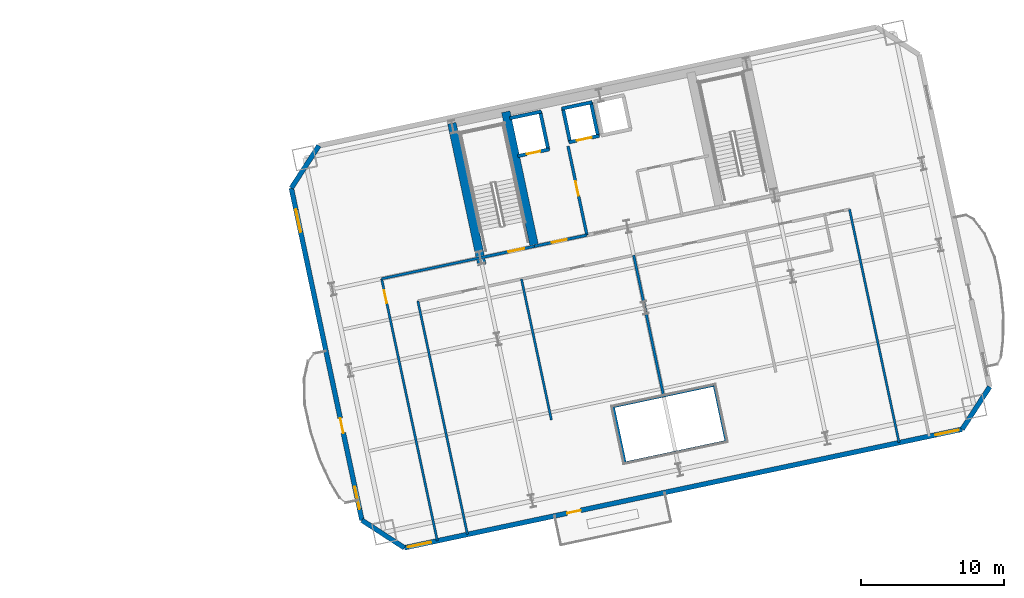
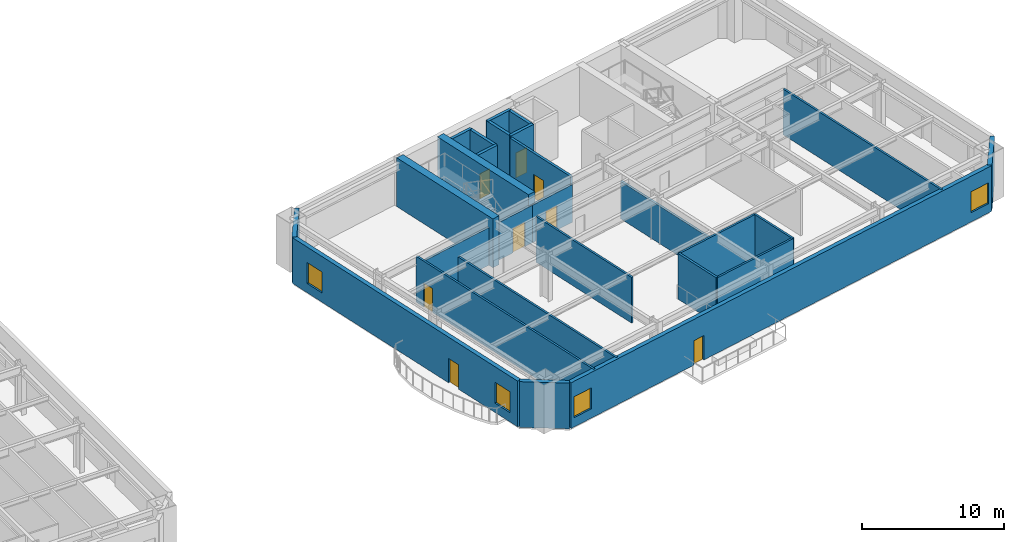
# One storey, part 8 of 15: 27 walls, 8 doors, 4 windows, 12 openings.
"""IFC4 building model written with IfcOpenShell, lengths in metres."""

from ifc_helpers import new_model, si_unit, direction, frame, frame_2d, origin, place, context, subcontext, project, spatial, rectangle, extrude, material, layer, layer_set, type_object, element, fill, save


model = new_model("IFC4")

# Units and contexts
model_context = context("Model", 3, precision=1e-05, world=origin(), true_north=direction((0.0, 1.0)))
body_context = subcontext(model_context, "Body", "Model", "MODEL_VIEW")
ifc_project = project(units=[si_unit("LENGTHUNIT", "METRE"), si_unit("AREAUNIT", "SQUARE_METRE"), si_unit("VOLUMEUNIT", "CUBIC_METRE"), si_unit("PLANEANGLEUNIT", "RADIAN"), si_unit("MASSUNIT", "GRAM", prefix="KILO")], contexts=[model_context])

# Site, building, storey
site_placement = place(None, origin())
site = spatial("IfcSite", under=ifc_project, at=site_placement, CompositionType="ELEMENT")
building_placement = place(site_placement, origin())
building = spatial("IfcBuilding", under=site, at=building_placement, Name="Haevon Station Towers", CompositionType="ELEMENT")
storey_placement = place(building_placement, frame((0.0, 0.0, 73.5)))
storey = spatial("IfcBuildingStorey", under=building, at=storey_placement, Name="L19", CompositionType="ELEMENT", Elevation=73.5)

# Walls
ifc_material_1 = material(Name="Gypsum board on steel stud", Category="steel")
ifc_layer_1 = layer(ifc_material_1, 0.179931640625)
ifc_layer_set_1 = layer_set([ifc_layer_1], Name="Gypsum board on steel stud")
wall_type_1 = type_object("IfcWallType", Name="WL-ACU180", PredefinedType="PARTITIONING", material=ifc_layer_set_1)
wall_1_placement = place(storey_placement, frame((91.8564453125, 35.9765625, 0.0), z_axis=(0.0, 0.0, 1.0), x_axis=(0.978146703791, 0.207915910556, 0.0)))
element("IfcWall", 1, at=wall_1_placement, inside=storey, type_object=wall_type_1, Name="WL-T2PT-L19-03", PredefinedType="PARTITIONING", context=body_context, shape_type="SweptSolid", body=[
    extrude(rectangle(XDim=7.050048828125, YDim=0.179931640625, at=frame_2d((3.52490234375, 0.0))), origin(), (0.0, 0.0, 1.0), 3.22998046875),
])
wall_2_placement = place(storey_placement, frame((108.848876953125, 23.12890625, 0.0), z_axis=(0.0, 0.0, 1.0), x_axis=(-0.207886494942, 0.978152955943, 0.0)))
element("IfcWall", 2, at=wall_2_placement, inside=storey, type_object=wall_type_1, Name="WL-T2PT-L19-09", PredefinedType="PARTITIONING", context=body_context, shape_type="SweptSolid", body=[
    extrude(rectangle(XDim=4.0, YDim=0.179931640625, at=frame_2d((2.0, 0.0))), origin(), (0.0, 0.0, 1.0), 3.929931640625),
])
wall_3_placement = place(storey_placement, frame((111.53857421875, 27.789794921875, 0.0), z_axis=(0.0, 0.0, 1.0), x_axis=(-0.207893038664, 0.978151565186, 0.0)))
element("IfcWall", 3, at=wall_3_placement, inside=storey, type_object=wall_type_1, Name="WL-T2PT-L19-12", PredefinedType="PARTITIONING", context=body_context, shape_type="SweptSolid", body=[
    extrude(rectangle(XDim=10.050048828125, YDim=0.179931640625, at=frame_2d((5.02490234375, 0.0))), origin(), (0.0, 0.0, 1.0), 3.22998046875),
])

# Wall, opening, door
ifc_layer_2 = layer(ifc_material_1, 0.199951171875)
ifc_layer_set_2 = layer_set([ifc_layer_2], Name="Gypsum board on steel stud")
wall_type_2 = type_object("IfcWallType", Name="WL-COR200", PredefinedType="PARTITIONING", material=ifc_layer_set_2)
wall_4_placement = place(storey_placement, frame((98.75244140625, 37.4423828125, 0.0), z_axis=(0.0, 0.0, 1.0), x_axis=(0.978143537786, 0.207930804564, 0.0)))
wall_4 = element("IfcWall", 4, at=wall_4_placement, inside=storey, type_object=wall_type_2, Name="WL-ST-ST3-L19", PredefinedType="PARTITIONING", context=body_context, shape_type="SweptSolid", body=[
    extrude(rectangle(XDim=3.85009765625, YDim=0.199951171875, at=frame_2d((1.925048828125, 0.0))), origin(), (0.0, 0.0, 1.0), 3.22998046875),
])
opening_1_placement = place(wall_4_placement, frame((2.0, 0.0, 0.0)))
opening_1 = element("IfcOpeningElement", 5, at=opening_1_placement, cuts=wall_4, Name="Opening DR-ST-ST3-L19", PredefinedType="OPENING", context=body_context, shape_type="SweptSolid", body=[
    extrude(rectangle(XDim=1.1201171875, YDim=2.10009765625, at=frame_2d((0.56005859375, 1.050048828125))), frame((0.0, 0.10986328125, 0.0), z_axis=(0.0, -1.0, 0.0), x_axis=(1.0, 0.0, 0.0)), (0.0, 0.0, 1.0), 0.219970703125),
])
ifc_material_2 = material(Name="Engineered oak timber", Category="wood")
door_type_1 = type_object("IfcDoorType", Name="DR-ST-1120", OperationType="NOTDEFINED", PredefinedType="DOOR", material=ifc_material_2)
door_1_placement = place(opening_1_placement, origin())
door_1 = element("IfcDoor", 6, at=door_1_placement, inside=storey, type_object=door_type_1, Name="L19 Escape Stair ST3 Fire Door", OperationType="SINGLE_SWING_LEFT", OverallHeight=2.10009765625, OverallWidth=1.1201171875, PredefinedType="DOOR", context=body_context, shape_type="SweptSolid", body=[
    extrude(rectangle(XDim=1.1201171875, YDim=2.10009765625, at=frame_2d((0.56005859375, 1.050048828125))), frame((0.0, 0.02490234375, 0.0), z_axis=(0.0, -1.0, 0.0), x_axis=(1.0, 0.0, 0.0)), (0.0, 0.0, 1.0), 0.050048828125),
])
fill(opening_1, door_1)

wall_5_placement = place(storey_placement, frame((106.186279296875, 39.0224609375, 0.0), z_axis=(0.0, 0.0, 1.0), x_axis=(-0.207916691923, 0.978146537703, 0.0)))
wall_5 = element("IfcWall", 7, at=wall_5_placement, inside=storey, type_object=wall_type_2, Name="WL-T2FFL-L19-E", PredefinedType="PARTITIONING", context=body_context, shape_type="SweptSolid", body=[
    extrude(rectangle(XDim=6.35009765625, YDim=0.199951171875, at=frame_2d((3.175048828125, 0.0))), origin(), (0.0, 0.0, 1.0), 3.929931640625),
])
opening_2_placement = place(wall_5_placement, frame((2.800048828125, 0.0, 0.0)))
opening_2 = element("IfcOpeningElement", 8, at=opening_2_placement, cuts=wall_5, Name="Opening DR-T2FFL-L19-E", PredefinedType="OPENING", context=body_context, shape_type="SweptSolid", body=[
    extrude(rectangle(XDim=1.050048828125, YDim=2.10009765625, at=frame_2d((0.52490234375, 1.050048828125))), frame((0.0, 0.10986328125, 0.0), z_axis=(0.0, -1.0, 0.0), x_axis=(1.0, 0.0, 0.0)), (0.0, 0.0, 1.0), 0.219970703125),
])
door_type_2 = type_object("IfcDoorType", Name="DR-FD60-1050", OperationType="NOTDEFINED", PredefinedType="DOOR", material=ifc_material_2)
door_2_placement = place(opening_2_placement, origin())
door_2 = element("IfcDoor", 9, at=door_2_placement, inside=storey, type_object=door_type_2, Name="L19 Tower 2 Firefighting Lift Lobby Door E", OperationType="SINGLE_SWING_LEFT", OverallHeight=2.10009765625, OverallWidth=1.050048828125, PredefinedType="DOOR", context=body_context, shape_type="SweptSolid", body=[
    extrude(rectangle(XDim=1.050048828125, YDim=2.10009765625, at=frame_2d((0.52490234375, 1.050048828125))), frame((0.0, 0.02490234375, 0.0), z_axis=(0.0, -1.0, 0.0), x_axis=(1.0, 0.0, 0.0)), (0.0, 0.0, 1.0), 0.050048828125),
])
fill(opening_2, door_2)

wall_6_placement = place(storey_placement, frame((102.518310546875, 38.242919921875, 0.0), z_axis=(0.0, 0.0, 1.0), x_axis=(0.978153555683, 0.20788367301, 0.0)))
wall_6 = element("IfcWall", 10, at=wall_6_placement, inside=storey, type_object=wall_type_2, Name="WL-T2FFL-L19-S", PredefinedType="PARTITIONING", context=body_context, shape_type="SweptSolid", body=[
    extrude(rectangle(XDim=3.75, YDim=0.199951171875, at=frame_2d((1.875, 0.0))), origin(), (0.0, 0.0, 1.0), 3.22998046875),
])
opening_3_placement = place(wall_6_placement, frame((1.25, 0.0, 0.0)))
opening_3 = element("IfcOpeningElement", 11, at=opening_3_placement, cuts=wall_6, Name="Opening DR-T2FFL-L19-S", PredefinedType="OPENING", context=body_context, shape_type="SweptSolid", body=[
    extrude(rectangle(XDim=1.050048828125, YDim=2.10009765625, at=frame_2d((0.52490234375, 1.050048828125))), frame((0.0, 0.10986328125, 0.0), z_axis=(0.0, -1.0, 0.0), x_axis=(1.0, 0.0, 0.0)), (0.0, 0.0, 1.0), 0.219970703125),
])
door_3_placement = place(opening_3_placement, origin())
door_3 = element("IfcDoor", 12, at=door_3_placement, inside=storey, type_object=door_type_2, Name="L19 Tower 2 Firefighting Lift Lobby Door S", OperationType="SINGLE_SWING_RIGHT", OverallHeight=2.10009765625, OverallWidth=1.050048828125, PredefinedType="DOOR", context=body_context, shape_type="SweptSolid", body=[
    extrude(rectangle(XDim=1.050048828125, YDim=2.10009765625, at=frame_2d((0.52490234375, 1.050048828125))), frame((0.0, 0.02490234375, 0.0), z_axis=(0.0, -1.0, 0.0), x_axis=(1.0, 0.0, 0.0)), (0.0, 0.0, 1.0), 0.050048828125),
])
fill(opening_3, door_3)

# Walls
ifc_material_3 = material(Name="Concrete C60/75", Category="concrete")
ifc_layer_3 = layer(ifc_material_3, 0.60009765625)
ifc_layer_set_3 = layer_set([ifc_layer_3], Name="Concrete C60/75")
wall_type_3 = type_object("IfcWallType", Name="WL-CR600", PredefinedType="SHEAR", material=ifc_layer_set_3)
wall_7_placement = place(storey_placement, frame((98.8603515625, 36.933837890625, 0.0), z_axis=(0.0, 0.0, 1.0), x_axis=(-0.20790924889, 0.978148119778, 0.0)))
element("IfcWall", 13, at=wall_7_placement, inside=storey, type_object=wall_type_3, Name="WL-T2CR-L19-W", PredefinedType="SHEAR", context=body_context, shape_type="SweptSolid", body=[
    extrude(rectangle(XDim=10.119873046875, YDim=0.60009765625, at=frame_2d((5.06005859375, 0.0))), origin(), (0.0, 0.0, 1.0), 4.199951171875),
])
wall_8_placement = place(storey_placement, frame((102.518310546875, 38.242919921875, 0.0), z_axis=(0.0, 0.0, 1.0), x_axis=(-0.207927495108, 0.978144241295, 0.0)))
element("IfcWall", 14, at=wall_8_placement, inside=storey, type_object=wall_type_3, Name="WL-T2CR-L19-M1", PredefinedType="SHEAR", context=body_context, shape_type="SweptSolid", body=[
    extrude(rectangle(XDim=9.599853515625, YDim=0.60009765625, at=frame_2d((4.7998046875, 0.0))), origin(), (0.0, 0.0, 1.0), 4.199951171875),
])

# Wall, openings, door, windows
ifc_material_4 = material(Name="Precast concrete C45/55", Category="concrete")
ifc_layer_4 = layer(ifc_material_4, 0.340087890625)
ifc_layer_set_4 = layer_set([ifc_layer_4], Name="Precast concrete C45/55")
wall_type_4 = type_object("IfcWallType", Name="WL-EXT-PIER340", PredefinedType="SOLIDWALL", material=ifc_layer_set_4)
wall_9_placement = place(storey_placement, frame((132.3759765625, 25.4716796875, 0.0), z_axis=(0.0, 0.0, 1.0), x_axis=(-0.978147406386, -0.20791260515, 0.0)))
wall_9 = element("IfcWall", 15, at=wall_9_placement, inside=storey, type_object=wall_type_4, Name="WL-T2-L19-S", PredefinedType="SOLIDWALL", context=body_context, shape_type="SweptSolid", body=[
    extrude(rectangle(XDim=39.7998046875, YDim=0.340087890625, at=frame_2d((19.89990234375, 0.0))), origin(), (0.0, 0.0, 1.0), 3.929931640625),
])
opening_4_placement = place(wall_9_placement, frame((27.22509765625, 0.0, 0.0)))
opening_4 = element("IfcOpeningElement", 16, at=opening_4_placement, cuts=wall_9, Name="Opening DR-T2-PBAND-L19-1", PredefinedType="OPENING", context=body_context, shape_type="SweptSolid", body=[
    extrude(rectangle(XDim=0.949951171875, YDim=2.10009765625, at=frame_2d((0.47509765625, 1.050048828125))), frame((0.0, 0.179931640625, 0.0), z_axis=(0.0, -1.0, 0.0), x_axis=(1.0, 0.0, 0.0)), (0.0, 0.0, 1.0), 0.360107421875),
])
opening_5_placement = place(wall_9_placement, frame((37.89990234375, 0.0, 0.800048828125)))
opening_5 = element("IfcOpeningElement", 17, at=opening_5_placement, cuts=wall_9, Name="Opening WN-P165", PredefinedType="OPENING", context=body_context, shape_type="SweptSolid", body=[
    extrude(rectangle(XDim=1.64990234375, YDim=1.800048828125, at=frame_2d((0.824951171875, 0.89990234375))), frame((0.0, 0.179931640625, 0.0), z_axis=(0.0, -1.0, 0.0), x_axis=(1.0, 0.0, 0.0)), (0.0, 0.0, 1.0), 0.360107421875),
])
opening_6_placement = place(wall_9_placement, frame((0.25, 0.0, 0.800048828125)))
opening_6 = element("IfcOpeningElement", 18, at=opening_6_placement, cuts=wall_9, Name="Opening WN-P165", PredefinedType="OPENING", context=body_context, shape_type="SweptSolid", body=[
    extrude(rectangle(XDim=1.64990234375, YDim=1.800048828125, at=frame_2d((0.824951171875, 0.89990234375))), frame((0.0, 0.179931640625, 0.0), z_axis=(0.0, -1.0, 0.0), x_axis=(1.0, 0.0, 0.0)), (0.0, 0.0, 1.0), 0.360107421875),
])
ifc_material_5 = material(Name="Thermally broken anodised aluminium and laminated safety glass", Category="aluminium")
door_type_3 = type_object("IfcDoorType", Name="DR-BALC-950", OperationType="NOTDEFINED", PredefinedType="DOOR", material=ifc_material_5)
door_4_placement = place(opening_4_placement, origin())
door_4 = element("IfcDoor", 19, at=door_4_placement, inside=storey, type_object=door_type_3, Name="Tower 2 L19 Balcony Terrace Door", OperationType="SINGLE_SWING_RIGHT", OverallHeight=2.10009765625, OverallWidth=0.949951171875, PredefinedType="DOOR", context=body_context, shape_type="SweptSolid", body=[
    extrude(rectangle(XDim=0.949951171875, YDim=2.10009765625, at=frame_2d((0.47509765625, 1.050048828125))), frame((0.0, 0.02490234375, 0.0), z_axis=(0.0, -1.0, 0.0), x_axis=(1.0, 0.0, 0.0)), (0.0, 0.0, 1.0), 0.050048828125),
])
fill(opening_4, door_4)
ifc_material_6 = material(Name="Low-E triple glazing in thermally broken aluminium", Category="aluminium")
window_type_1 = type_object("IfcWindowType", Name="WN-P165", PartitioningType="SINGLE_PANEL", PredefinedType="WINDOW", material=ifc_material_6)
window_1_placement = place(opening_5_placement, origin())
window_1 = element("IfcWindow", 20, at=window_1_placement, inside=storey, type_object=window_type_1, Name="WN-T2-L19-S01", OverallHeight=1.800048828125, OverallWidth=1.64990234375, PartitioningType="SINGLE_PANEL", PredefinedType="WINDOW", context=body_context, shape_type="SweptSolid", body=[
    extrude(rectangle(XDim=1.64990234375, YDim=1.800048828125, at=frame_2d((0.824951171875, 0.89990234375))), frame((0.0, 0.030029296875, 0.0), z_axis=(0.0, -1.0, 0.0), x_axis=(1.0, 0.0, 0.0)), (0.0, 0.0, 1.0), 0.06005859375),
])
fill(opening_5, window_1)
window_2_placement = place(opening_6_placement, origin())
window_2 = element("IfcWindow", 21, at=window_2_placement, inside=storey, type_object=window_type_1, Name="WN-T2-L19-S02", OverallHeight=1.800048828125, OverallWidth=1.64990234375, PartitioningType="SINGLE_PANEL", PredefinedType="WINDOW", context=body_context, shape_type="SweptSolid", body=[
    extrude(rectangle(XDim=1.64990234375, YDim=1.800048828125, at=frame_2d((0.824951171875, 0.89990234375))), frame((0.0, 0.030029296875, 0.0), z_axis=(0.0, -1.0, 0.0), x_axis=(1.0, 0.0, 0.0)), (0.0, 0.0, 1.0), 0.06005859375),
])
fill(opening_6, window_2)

# Wall
wall_10_placement = place(storey_placement, frame((93.44580078125, 17.19677734375, 0.0), z_axis=(0.0, 0.0, 1.0), x_axis=(-0.838692791597, 0.544604812064, 0.0)))
element("IfcWall", 22, at=wall_10_placement, inside=storey, type_object=wall_type_4, Name="WL-T2-L19-SWC", PredefinedType="SOLIDWALL", context=body_context, shape_type="SweptSolid", body=[
    extrude(rectangle(XDim=3.53564453125, YDim=0.340087890625, at=frame_2d((1.767822265625, 0.0))), origin(), (0.0, 0.0, 1.0), 3.929931640625),
])

# Wall, openings, door, windows
wall_11_placement = place(storey_placement, frame((90.48046875, 19.122314453125, 0.0), z_axis=(0.0, 0.0, 1.0), x_axis=(-0.20791074704, 0.978147801339, 0.0)))
wall_11 = element("IfcWall", 23, at=wall_11_placement, inside=storey, type_object=wall_type_4, Name="WL-T2-L19-W", PredefinedType="SOLIDWALL", context=body_context, shape_type="SweptSolid", body=[
    extrude(rectangle(XDim=23.699951171875, YDim=0.340087890625, at=frame_2d((11.85009765625, 0.0))), origin(), (0.0, 0.0, 1.0), 3.929931640625),
])
opening_7_placement = place(wall_11_placement, frame((6.22509765625, 0.0, 0.0)))
opening_7 = element("IfcOpeningElement", 24, at=opening_7_placement, cuts=wall_11, Name="Opening DR-T2-SCAL-L19-W", PredefinedType="OPENING", context=body_context, shape_type="SweptSolid", body=[
    extrude(rectangle(XDim=1.050048828125, YDim=2.10009765625, at=frame_2d((0.52490234375, 1.050048828125))), frame((0.0, 0.179931640625, 0.0), z_axis=(0.0, -1.0, 0.0), x_axis=(1.0, 0.0, 0.0)), (0.0, 0.0, 1.0), 0.360107421875),
])
opening_8_placement = place(wall_11_placement, frame((0.800048828125, 0.0, 0.800048828125)))
opening_8 = element("IfcOpeningElement", 25, at=opening_8_placement, cuts=wall_11, Name="Opening WN-END160", PredefinedType="OPENING", context=body_context, shape_type="SweptSolid", body=[
    extrude(rectangle(XDim=1.60009765625, YDim=1.800048828125, at=frame_2d((0.800048828125, 0.89990234375))), frame((0.0, 0.179931640625, 0.0), z_axis=(0.0, -1.0, 0.0), x_axis=(1.0, 0.0, 0.0)), (0.0, 0.0, 1.0), 0.360107421875),
])
opening_9_placement = place(wall_11_placement, frame((20.56787109375, 0.0, 0.800048828125)))
opening_9 = element("IfcOpeningElement", 26, at=opening_9_placement, cuts=wall_11, Name="Opening WN-END160", PredefinedType="OPENING", context=body_context, shape_type="SweptSolid", body=[
    extrude(rectangle(XDim=1.60009765625, YDim=1.800048828125, at=frame_2d((0.800048828125, 0.89990234375))), frame((0.0, 0.179931640625, 0.0), z_axis=(0.0, -1.0, 0.0), x_axis=(1.0, 0.0, 0.0)), (0.0, 0.0, 1.0), 0.360107421875),
])
door_type_4 = type_object("IfcDoorType", Name="DR-BALC-1050", OperationType="NOTDEFINED", PredefinedType="DOOR", material=ifc_material_5)
door_5_placement = place(opening_7_placement, origin())
door_5 = element("IfcDoor", 27, at=door_5_placement, inside=storey, type_object=door_type_4, Name="Tower 2 L19 West Scalloped Balcony Door", OperationType="SINGLE_SWING_LEFT", OverallHeight=2.10009765625, OverallWidth=1.050048828125, PredefinedType="DOOR", context=body_context, shape_type="SweptSolid", body=[
    extrude(rectangle(XDim=1.050048828125, YDim=2.10009765625, at=frame_2d((0.52490234375, 1.050048828125))), frame((0.0, 0.02490234375, 0.0), z_axis=(0.0, -1.0, 0.0), x_axis=(1.0, 0.0, 0.0)), (0.0, 0.0, 1.0), 0.050048828125),
])
fill(opening_7, door_5)
window_type_2 = type_object("IfcWindowType", Name="WN-END160", PartitioningType="SINGLE_PANEL", PredefinedType="WINDOW", material=ifc_material_6)
window_3_placement = place(opening_8_placement, origin())
window_3 = element("IfcWindow", 28, at=window_3_placement, inside=storey, type_object=window_type_2, Name="WN-T2-L19-W01", OverallHeight=1.800048828125, OverallWidth=1.60009765625, PartitioningType="SINGLE_PANEL", PredefinedType="WINDOW", context=body_context, shape_type="SweptSolid", body=[
    extrude(rectangle(XDim=1.60009765625, YDim=1.800048828125, at=frame_2d((0.800048828125, 0.89990234375))), frame((0.0, 0.030029296875, 0.0), z_axis=(0.0, -1.0, 0.0), x_axis=(1.0, 0.0, 0.0)), (0.0, 0.0, 1.0), 0.06005859375),
])
fill(opening_8, window_3)
window_4_placement = place(opening_9_placement, origin())
window_4 = element("IfcWindow", 29, at=window_4_placement, inside=storey, type_object=window_type_2, Name="WN-T2-L19-W02", OverallHeight=1.800048828125, OverallWidth=1.60009765625, PartitioningType="SINGLE_PANEL", PredefinedType="WINDOW", context=body_context, shape_type="SweptSolid", body=[
    extrude(rectangle(XDim=1.60009765625, YDim=1.800048828125, at=frame_2d((0.800048828125, 0.89990234375))), frame((0.0, 0.030029296875, 0.0), z_axis=(0.0, -1.0, 0.0), x_axis=(1.0, 0.0, 0.0)), (0.0, 0.0, 1.0), 0.06005859375),
])
fill(opening_9, window_4)

# Walls
wall_12_placement = place(storey_placement, frame((85.552978515625, 42.304443359375, 0.0), z_axis=(0.0, 0.0, 1.0), x_axis=(0.544684921471, 0.838640767148, 0.0)))
element("IfcWall", 30, at=wall_12_placement, inside=storey, type_object=wall_type_4, Name="WL-T2-L19-NWC", PredefinedType="SOLIDWALL", context=body_context, shape_type="SweptSolid", body=[
    extrude(rectangle(XDim=3.53564453125, YDim=0.340087890625, at=frame_2d((1.767822265625, 0.0))), origin(), (0.0, 0.0, 1.0), 3.929931640625),
])
wall_13_placement = place(storey_placement, frame((134.301513671875, 28.436767578125, 0.0), z_axis=(0.0, 0.0, 1.0), x_axis=(-0.544636352948, -0.838672309694, 0.0)))
element("IfcWall", 31, at=wall_13_placement, inside=storey, type_object=wall_type_4, Name="WL-T2-L19-SEC", PredefinedType="SOLIDWALL", context=body_context, shape_type="SweptSolid", body=[
    extrude(rectangle(XDim=3.535400390625, YDim=0.340087890625, at=frame_2d((1.767578125, 0.0))), origin(), (0.0, 0.0, 1.0), 3.929931640625),
])
ifc_layer_5 = layer(ifc_material_1, 0.159912109375)
ifc_layer_set_5 = layer_set([ifc_layer_5], Name="Gypsum board on steel stud")
wall_type_5 = type_object("IfcWallType", Name="WL-PRT160", PredefinedType="PARTITIONING", material=ifc_layer_set_5)
for number, where, z_axis, x_axis, name in (
    (32, (97.847412109375, 18.13232421875, 0.0), (0.0, 0.0, 1.0), (-0.20790856066, 0.978148266064, 0.0), "WL-T2PT-L19-01"),
    (33, (127.974365234375, 24.535888671875, 0.0), (0.0, 0.0, 1.0), (-0.20790856066, 0.978148266064, 0.0), "WL-T2PT-L19-02"),
):
    element("IfcWall", number, at=place(storey_placement, frame(where, z_axis=z_axis, x_axis=x_axis)), inside=storey, type_object=wall_type_5, Name=name, PredefinedType="PARTITIONING", context=body_context, shape_type="SweptSolid", body=[
        extrude(rectangle(XDim=16.64990234375, YDim=0.159912109375, at=frame_2d((8.324951171875, 0.0))), origin(), (0.0, 0.0, 1.0), 3.929931640625),
    ])

# Wall, opening, door
wall_14_placement = place(storey_placement, frame((95.744384765625, 17.685302734375, 0.0), z_axis=(0.0, 0.0, 1.0), x_axis=(-0.207912313426, 0.978147468394, 0.0)))
wall_14 = element("IfcWall", 34, at=wall_14_placement, inside=storey, type_object=wall_type_5, Name="WL-T2PT-L19-05", PredefinedType="PARTITIONING", context=body_context, shape_type="SweptSolid", body=[
    extrude(rectangle(XDim=18.699951171875, YDim=0.159912109375, at=frame_2d((9.35009765625, 0.0))), origin(), (0.0, 0.0, 1.0), 3.929931640625),
])
opening_10_placement = place(wall_14_placement, frame((16.969970703125, 0.0, 0.0)))
opening_10 = element("IfcOpeningElement", 35, at=opening_10_placement, cuts=wall_14, Name="Opening DR-WL-T2PT-L19-05-01", PredefinedType="OPENING", context=body_context, shape_type="SweptSolid", body=[
    extrude(rectangle(XDim=0.89990234375, YDim=2.050048828125, at=frame_2d((0.449951171875, 1.02490234375))), frame((0.0, 0.08984375, 0.0), z_axis=(0.0, -1.0, 0.0), x_axis=(1.0, 0.0, 0.0)), (0.0, 0.0, 1.0), 0.179931640625),
])
door_type_5 = type_object("IfcDoorType", Name="DR-INT-900", OperationType="NOTDEFINED", PredefinedType="DOOR", material=ifc_material_2)
door_6_placement = place(opening_10_placement, origin())
door_6 = element("IfcDoor", 36, at=door_6_placement, inside=storey, type_object=door_type_5, Name="L19 Tower 2 Room Door 5-1", OperationType="SINGLE_SWING_LEFT", OverallHeight=2.050048828125, OverallWidth=0.89990234375, PredefinedType="DOOR", context=body_context, shape_type="SweptSolid", body=[
    extrude(rectangle(XDim=0.89990234375, YDim=2.050048828125, at=frame_2d((0.449951171875, 1.02490234375))), frame((0.0, 0.02490234375, 0.0), z_axis=(0.0, -1.0, 0.0), x_axis=(1.0, 0.0, 0.0)), (0.0, 0.0, 1.0), 0.050048828125),
])
fill(opening_10, door_6)

# Walls
for number, where, z_axis, x_axis, name in (
    (37, (108.848876953125, 23.12890625, 0.0), (0.0, 0.0, 1.0), (0.978151869997, 0.207891604498, 0.0), "WL-T2PT-L19-07"),
    (38, (108.017333984375, 27.04150390625, 0.0), (0.0, 0.0, 1.0), (0.978151869997, 0.207891604498, 0.0), "WL-T2PT-L19-08"),
):
    element("IfcWall", number, at=place(storey_placement, frame(where, z_axis=z_axis, x_axis=x_axis)), inside=storey, type_object=wall_type_5, Name=name, PredefinedType="PARTITIONING", context=body_context, shape_type="SweptSolid", body=[
        extrude(rectangle(XDim=7.199951171875, YDim=0.159912109375, at=frame_2d((3.60009765625, 0.0))), origin(), (0.0, 0.0, 1.0), 3.929931640625),
    ])
wall_15_placement = place(storey_placement, frame((115.8916015625, 24.625732421875, 0.0), z_axis=(0.0, 0.0, 1.0), x_axis=(-0.207886494942, 0.978152955943, 0.0)))
element("IfcWall", 39, at=wall_15_placement, inside=storey, type_object=wall_type_5, Name="WL-T2PT-L19-10", PredefinedType="PARTITIONING", context=body_context, shape_type="SweptSolid", body=[
    extrude(rectangle(XDim=4.0, YDim=0.159912109375, at=frame_2d((2.0, 0.0))), origin(), (0.0, 0.0, 1.0), 3.929931640625),
])
wall_16_placement = place(storey_placement, frame((103.70556640625, 26.125, 0.0), z_axis=(0.0, 0.0, 1.0), x_axis=(-0.207897978629, 0.978150515249, 0.0)))
element("IfcWall", 40, at=wall_16_placement, inside=storey, type_object=wall_type_5, Name="WL-T2PT-L19-11", PredefinedType="PARTITIONING", context=body_context, shape_type="SweptSolid", body=[
    extrude(rectangle(XDim=10.0498046875, YDim=0.159912109375, at=frame_2d((5.02490234375, 0.0))), origin(), (0.0, 0.0, 1.0), 3.929931640625),
])

# Wall, opening, door
ifc_material_7 = material(Name="Concrete C40/50", Category="concrete")
ifc_layer_6 = layer(ifc_material_7, 0.239990234375)
ifc_layer_set_6 = layer_set([ifc_layer_6], Name="Concrete C40/50")
wall_type_6 = type_object("IfcWallType", Name="WL-SHF240", PredefinedType="PARTITIONING", material=ifc_layer_set_6)
wall_17_placement = place(storey_placement, frame((101.353759765625, 44.538330078125, 0.0), z_axis=(0.0, 0.0, 1.0), x_axis=(0.978141002414, 0.207942731049, 0.0)))
wall_17 = element("IfcWall", 41, at=wall_17_placement, inside=storey, type_object=wall_type_6, Name="WL-SHF-FL2-L19", PredefinedType="PARTITIONING", context=body_context, shape_type="SweptSolid", body=[
    extrude(rectangle(XDim=2.260009765625, YDim=0.239990234375, at=frame_2d((1.1298828125, 0.0))), origin(), (0.0, 0.0, 1.0), 3.929931640625),
])
opening_11_placement = place(wall_17_placement, frame((0.655029296875, 0.0, 0.0)))
opening_11 = element("IfcOpeningElement", 42, at=opening_11_placement, cuts=wall_17, Name="Opening LD-FL2-L19", PredefinedType="OPENING", context=body_context, shape_type="SweptSolid", body=[
    extrude(rectangle(XDim=0.949951171875, YDim=2.14990234375, at=frame_2d((0.47509765625, 1.074951171875))), frame((0.0, 0.1298828125, 0.0), z_axis=(0.0, -1.0, 0.0), x_axis=(1.0, 0.0, 0.0)), (0.0, 0.0, 1.0), 0.260009765625),
])
ifc_material_8 = material(Name="Stainless steel and rated core", Category="steel")
door_type_6 = type_object("IfcDoorType", Name="LD-FL950", OperationType="SLIDING_TO_LEFT", PredefinedType="DOOR", material=ifc_material_8)
door_7_placement = place(opening_11_placement, origin())
door_7 = element("IfcDoor", 43, at=door_7_placement, inside=storey, type_object=door_type_6, Name="L19 Lift FL2 Sliding Landing Door", OperationType="SLIDING_TO_LEFT", OverallHeight=2.14990234375, OverallWidth=0.949951171875, PredefinedType="DOOR", context=body_context, shape_type="SweptSolid", body=[
    extrude(rectangle(XDim=0.949951171875, YDim=2.14990234375, at=frame_2d((0.47509765625, 1.074951171875))), frame((0.0, 0.02490234375, 0.0), z_axis=(0.0, -1.0, 0.0), x_axis=(1.0, 0.0, 0.0)), (0.0, 0.0, 1.0), 0.050048828125),
])
fill(opening_11, door_7)

# Walls
wall_18_placement = place(storey_placement, frame((100.79248046875, 47.179443359375, 0.0), z_axis=(0.0, 0.0, 1.0), x_axis=(0.978162968872, 0.207839376268, 0.0)))
element("IfcWall", 44, at=wall_18_placement, inside=storey, type_object=wall_type_6, Name="WL-SHF-FL2-L19-N", PredefinedType="PARTITIONING", context=body_context, shape_type="SweptSolid", body=[
    extrude(rectangle(XDim=2.260009765625, YDim=0.239990234375, at=frame_2d((1.1298828125, 0.0))), origin(), (0.0, 0.0, 1.0), 3.929931640625),
])
wall_19_placement = place(storey_placement, frame((103.486328125, 44.99169921875, 0.0), z_axis=(0.0, 0.0, 1.0), x_axis=(-0.207978798957, 0.978133334052, 0.0)))
element("IfcWall", 45, at=wall_19_placement, inside=storey, type_object=wall_type_6, Name="WL-SHF-FL2-L19-E", PredefinedType="PARTITIONING", context=body_context, shape_type="SweptSolid", body=[
    extrude(rectangle(XDim=2.699951171875, YDim=0.239990234375, at=frame_2d((1.35009765625, 0.0))), origin(), (0.0, 0.0, 1.0), 3.929931640625),
])

# Wall, opening, door
wall_20_placement = place(storey_placement, frame((104.931396484375, 45.503173828125, 0.0), z_axis=(0.0, 0.0, 1.0), x_axis=(0.97813528961, 0.207969601673, 0.0)))
wall_20 = element("IfcWall", 46, at=wall_20_placement, inside=storey, type_object=wall_type_6, Name="WL-SHF-PL7-L19", PredefinedType="PARTITIONING", context=body_context, shape_type="SweptSolid", body=[
    extrude(rectangle(XDim=2.159912109375, YDim=0.239990234375, at=frame_2d((1.080078125, 0.0))), origin(), (0.0, 0.0, 1.0), 3.929931640625),
])
opening_12_placement = place(wall_20_placement, frame((0.554931640625, 0.0, 0.0)))
opening_12 = element("IfcOpeningElement", 47, at=opening_12_placement, cuts=wall_20, Name="Opening LD-PL7-L19", PredefinedType="OPENING", context=body_context, shape_type="SweptSolid", body=[
    extrude(rectangle(XDim=1.050048828125, YDim=2.14990234375, at=frame_2d((0.52490234375, 1.074951171875))), frame((0.0, 0.1298828125, 0.0), z_axis=(0.0, -1.0, 0.0), x_axis=(1.0, 0.0, 0.0)), (0.0, 0.0, 1.0), 0.260009765625),
])
door_type_7 = type_object("IfcDoorType", Name="LD-PL1050", OperationType="SLIDING_TO_LEFT", PredefinedType="DOOR", material=ifc_material_8)
door_8_placement = place(opening_12_placement, origin())
door_8 = element("IfcDoor", 48, at=door_8_placement, inside=storey, type_object=door_type_7, Name="L19 Lift PL7 Sliding Landing Door", OperationType="SLIDING_TO_LEFT", OverallHeight=2.14990234375, OverallWidth=1.050048828125, PredefinedType="DOOR", context=body_context, shape_type="SweptSolid", body=[
    extrude(rectangle(XDim=1.050048828125, YDim=2.14990234375, at=frame_2d((0.52490234375, 1.074951171875))), frame((0.0, 0.02490234375, 0.0), z_axis=(0.0, -1.0, 0.0), x_axis=(1.0, 0.0, 0.0)), (0.0, 0.0, 1.0), 0.050048828125),
])
fill(opening_12, door_8)

# Walls
wall_21_placement = place(storey_placement, frame((104.432373046875, 47.850830078125, 0.0), z_axis=(0.0, 0.0, 1.0), x_axis=(0.978158276388, 0.207861459473, 0.0)))
element("IfcWall", 49, at=wall_21_placement, inside=storey, type_object=wall_type_6, Name="WL-SHF-PL7-L19-N", PredefinedType="PARTITIONING", context=body_context, shape_type="SweptSolid", body=[
    extrude(rectangle(XDim=2.159912109375, YDim=0.239990234375, at=frame_2d((1.080078125, 0.0))), origin(), (0.0, 0.0, 1.0), 3.929931640625),
])
wall_22_placement = place(storey_placement, frame((105.009765625, 45.519775390625, 0.0), z_axis=(0.0, 0.0, 1.0), x_axis=(-0.207917150959, 0.978146440129, 0.0)))
element("IfcWall", 50, at=wall_22_placement, inside=storey, type_object=wall_type_6, Name="WL-SHF-PL7-L19-W", PredefinedType="PARTITIONING", context=body_context, shape_type="SweptSolid", body=[
    extrude(rectangle(XDim=2.400146484375, YDim=0.239990234375, at=frame_2d((1.2001953125, 0.0))), origin(), (0.0, 0.0, 1.0), 3.929931640625),
])
wall_23_placement = place(storey_placement, frame((106.966064453125, 45.935791015625, 0.0), z_axis=(0.0, 0.0, 1.0), x_axis=(-0.207937840262, 0.978142042133, 0.0)))
element("IfcWall", 51, at=wall_23_placement, inside=storey, type_object=wall_type_6, Name="WL-SHF-PL7-L19-E", PredefinedType="PARTITIONING", context=body_context, shape_type="SweptSolid", body=[
    extrude(rectangle(XDim=2.39990234375, YDim=0.239990234375, at=frame_2d((1.199951171875, 0.0))), origin(), (0.0, 0.0, 1.0), 3.929931640625),
])

save(model, "model.ifc")
